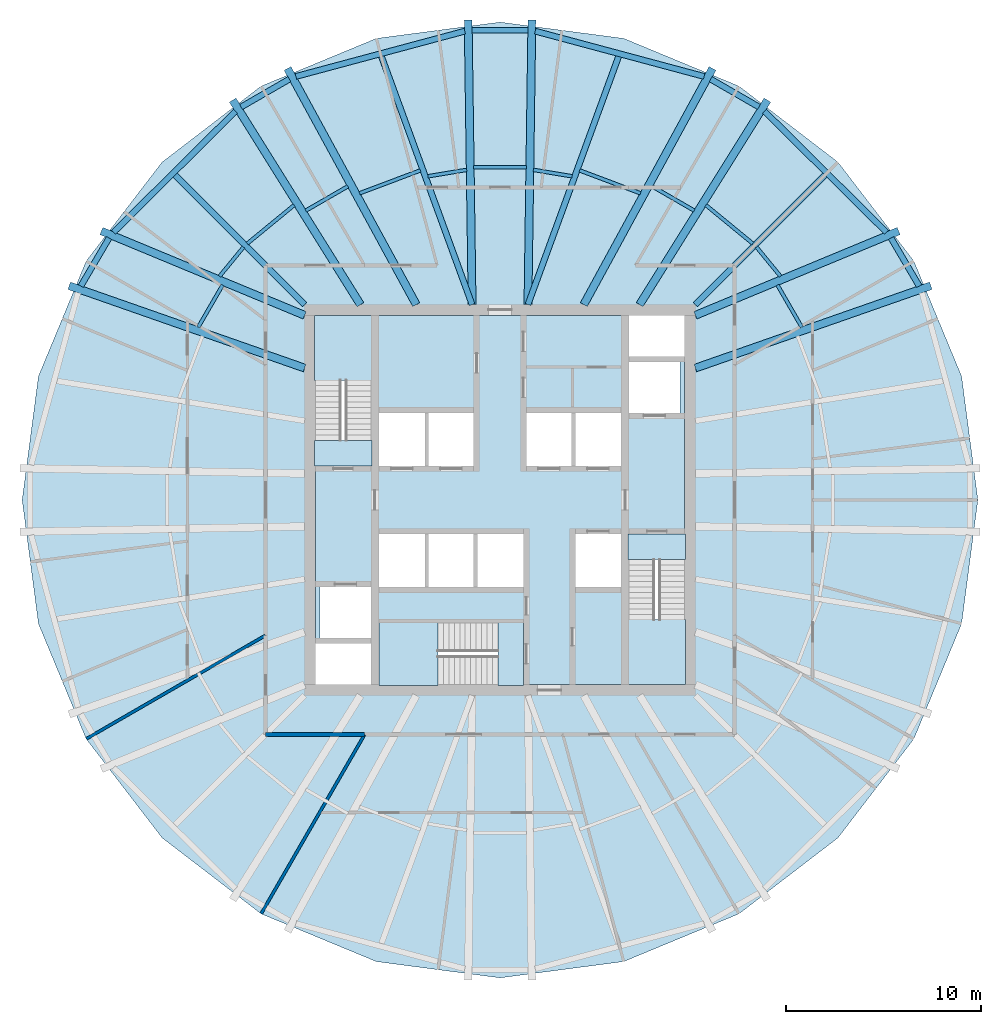
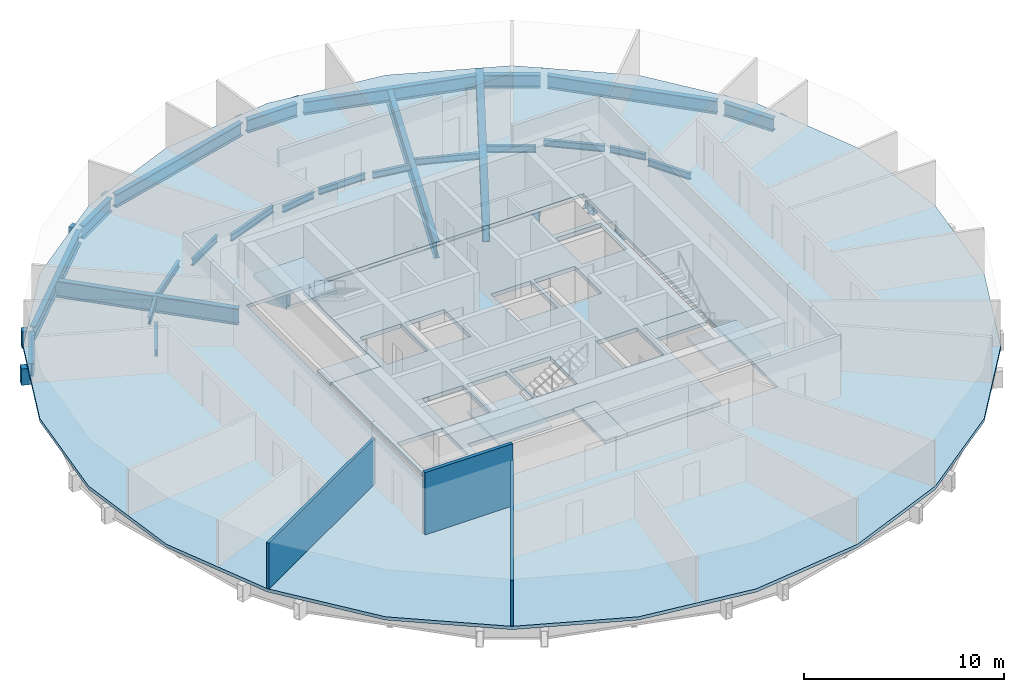
# One storey, part 2 of 6: 36 beams, 8 slabs, 3 walls, 3 elements without a shape of their own.
"""IFC4 building model written with IfcOpenShell, lengths in metres."""

from ifc_helpers import new_model, si_unit, direction, frame, frame_2d, origin, origin_2d, place, context, subcontext, project, spatial, polyline, rectangle, hollow_rectangle, i_section, outline, extrude, material, layer, layer_set, material_profile, profile_set, type_object, element, aggregate, save


model = new_model("IFC4")

# Units and contexts
model_context = context("Model", 3, precision=1e-05, world=origin(), true_north=direction((0.0, 1.0)))
body_context = subcontext(model_context, "Body", "Model", "MODEL_VIEW")
ifc_project = project(units=[si_unit("LENGTHUNIT", "METRE"), si_unit("AREAUNIT", "SQUARE_METRE"), si_unit("VOLUMEUNIT", "CUBIC_METRE"), si_unit("PLANEANGLEUNIT", "RADIAN"), si_unit("MASSUNIT", "GRAM", prefix="KILO")], contexts=[model_context])

# Site, building, storey
site_placement = place(None, origin())
site = spatial("IfcSite", under=ifc_project, at=site_placement, CompositionType="ELEMENT")
building_placement = place(site_placement, origin())
building = spatial("IfcBuilding", under=site, at=building_placement, Name="Golbaran Civic Tower", CompositionType="ELEMENT")
storey_placement = place(building_placement, frame((0.0, 0.0, 122.0)))
storey = spatial("IfcBuildingStorey", under=building, at=storey_placement, Name="L29", CompositionType="ELEMENT", Elevation=122.0)

# Beams
ifc_material_1 = material(Name="Steel S355", Category="steel")
ifc_material_profile_1 = material_profile(ifc_material_1, i_section(OverallWidth=0.300048828125, OverallDepth=0.800048828125, WebThickness=0.017578125, FlangeThickness=0.032958984375, FilletRadius=0.030029296875, at=origin_2d()), Name="HEB 800")
ifc_profile_set_1 = profile_set([ifc_material_profile_1], Name="Steel S355")
beam_type_1 = type_object("IfcBeamType", Name="EDGE BEAM HEB 800", PredefinedType="BEAM", material=ifc_profile_set_1)
beam_1_placement = place(storey_placement, frame((21.450927734375, 10.946533203125, -0.60009765625), z_axis=(-0.506455190342, 0.862266281479, 0.0), x_axis=(-0.862266281479, -0.506455190342, 0.0)))
element("IfcBeam", 1, at=beam_1_placement, inside=storey, type_object=beam_type_1, Name="Edge beam 26.27 L29", PredefinedType="BEAM", context=body_context, shape_type="SweptSolid", body=[
    extrude(i_section(OverallWidth=0.300048828125, OverallDepth=0.800048828125, WebThickness=0.017578125, FlangeThickness=0.032958984375, FilletRadius=0.030029296875, at=origin_2d()), origin(), (0.0, 0.0, 1.0), 2.852294921875),
])
beam_2_placement = place(storey_placement, frame((19.775634765625, 13.7001953125, -0.60009765625), z_axis=(-0.709865609088, 0.704337147277, 0.0), x_axis=(-0.704337147277, -0.709865609088, 0.0)))
element("IfcBeam", 2, at=beam_2_placement, inside=storey, type_object=beam_type_1, Name="Edge beam 33.73 L29", PredefinedType="BEAM", context=body_context, shape_type="SweptSolid", body=[
    extrude(i_section(OverallWidth=0.300048828125, OverallDepth=0.800048828125, WebThickness=0.017578125, FlangeThickness=0.032958984375, FilletRadius=0.030029296875, at=origin_2d()), origin(), (0.0, 0.0, 1.0), 8.7880859375),
])
beam_3_placement = place(storey_placement, frame((13.250244140625, 20.10986328125, -0.60009765625), z_axis=(-0.866144257683, 0.49979408248, 0.0), x_axis=(-0.49979408248, -0.866144257683, 0.0)))
element("IfcBeam", 3, at=beam_3_placement, inside=storey, type_object=beam_type_1, Name="Edge beam 56.27 L29", PredefinedType="BEAM", context=body_context, shape_type="SweptSolid", body=[
    extrude(i_section(OverallWidth=0.300048828125, OverallDepth=0.800048828125, WebThickness=0.017578125, FlangeThickness=0.032958984375, FilletRadius=0.030029296875, at=origin_2d()), origin(), (0.0, 0.0, 1.0), 2.852294921875),
])
beam_4_placement = place(storey_placement, frame((10.445068359375, 21.67333984375, -0.60009765625), z_axis=(-0.965861656645, 0.259058410831, 0.0), x_axis=(-0.259058410831, -0.965861656645, 0.0)))
element("IfcBeam", 4, at=beam_4_placement, inside=storey, type_object=beam_type_1, Name="Edge beam 63.73 L29", PredefinedType="BEAM", context=body_context, shape_type="SweptSolid", body=[
    extrude(i_section(OverallWidth=0.300048828125, OverallDepth=0.800048828125, WebThickness=0.017578125, FlangeThickness=0.032958984375, FilletRadius=0.030029296875, at=origin_2d()), origin(), (0.0, 0.0, 1.0), 8.947265625),
])
beam_5_placement = place(storey_placement, frame((1.44384765625, 24.039306640625, -0.60009765625), z_axis=(-1.0, 0.0, 0.0), x_axis=(0.0, -1.0, 0.0)))
element("IfcBeam", 5, at=beam_5_placement, inside=storey, type_object=beam_type_1, Name="Edge beam 86.27 L29", PredefinedType="BEAM", context=body_context, shape_type="SweptSolid", body=[
    extrude(i_section(OverallWidth=0.300048828125, OverallDepth=0.800048828125, WebThickness=0.017578125, FlangeThickness=0.032958984375, FilletRadius=0.030029296875, at=origin_2d()), origin(), (0.0, 0.0, 1.0), 2.8876953125),
])
beam_6_placement = place(storey_placement, frame((-1.80322265625, 23.9912109375, -0.60009765625), z_axis=(-0.965861656645, -0.259058410831, 0.0), x_axis=(0.259058410831, -0.965861656645, 0.0)))
element("IfcBeam", 6, at=beam_6_placement, inside=storey, type_object=beam_type_1, Name="Edge beam 93.73 L29", PredefinedType="BEAM", context=body_context, shape_type="SweptSolid", body=[
    extrude(i_section(OverallWidth=0.300048828125, OverallDepth=0.800048828125, WebThickness=0.017578125, FlangeThickness=0.032958984375, FilletRadius=0.030029296875, at=origin_2d()), origin(), (0.0, 0.0, 1.0), 8.947265625),
])
beam_7_placement = place(storey_placement, frame((-10.77978515625, 21.535400390625, -0.60009765625), z_axis=(-0.866144257683, -0.49979408248, 0.0), x_axis=(0.49979408248, -0.866144257683, 0.0)))
element("IfcBeam", 7, at=beam_7_placement, inside=storey, type_object=beam_type_1, Name="Edge beam 116.27 L29", PredefinedType="BEAM", context=body_context, shape_type="SweptSolid", body=[
    extrude(i_section(OverallWidth=0.300048828125, OverallDepth=0.800048828125, WebThickness=0.017578125, FlangeThickness=0.032958984375, FilletRadius=0.030029296875, at=origin_2d()), origin(), (0.0, 0.0, 1.0), 2.852294921875),
])
beam_8_placement = place(storey_placement, frame((-13.537353515625, 19.889892578125, -0.60009765625), z_axis=(-0.709865609088, -0.704337147277, 0.0), x_axis=(0.704337147277, -0.709865609088, 0.0)))
element("IfcBeam", 8, at=beam_8_placement, inside=storey, type_object=beam_type_1, Name="Edge beam 123.73 L29", PredefinedType="BEAM", context=body_context, shape_type="SweptSolid", body=[
    extrude(i_section(OverallWidth=0.300048828125, OverallDepth=0.800048828125, WebThickness=0.017578125, FlangeThickness=0.032958984375, FilletRadius=0.030029296875, at=origin_2d()), origin(), (0.0, 0.0, 1.0), 8.7880859375),
])
beam_9_placement = place(storey_placement, frame((-20.00634765625, 13.406005859375, -0.60009765625), z_axis=(-0.506455190342, -0.862266281479, 0.0), x_axis=(0.862266281479, -0.506455190342, 0.0)))
element("IfcBeam", 9, at=beam_9_placement, inside=storey, type_object=beam_type_1, Name="Edge beam 146.27 L29", PredefinedType="BEAM", context=body_context, shape_type="SweptSolid", body=[
    extrude(i_section(OverallWidth=0.300048828125, OverallDepth=0.800048828125, WebThickness=0.017578125, FlangeThickness=0.032958984375, FilletRadius=0.030029296875, at=origin_2d()), origin(), (0.0, 0.0, 1.0), 2.852294921875),
])
ifc_material_profile_2 = material_profile(ifc_material_1, i_section(OverallWidth=0.179931640625, OverallDepth=0.39990234375, WebThickness=0.008544921875, FlangeThickness=0.013427734375, FilletRadius=0.02099609375, at=origin_2d()), Name="IPE 400")
ifc_profile_set_2 = profile_set([ifc_material_profile_2], Name="Steel S355")
beam_type_2 = type_object("IfcBeamType", Name="FLOOR INFILL BEAM IPE 400", PredefinedType="BEAM", material=ifc_profile_set_2)
beam_10_placement = place(storey_placement, frame((15.440673828125, 8.843994140625, -0.39990234375), z_axis=(-0.499963362494, 0.866046555425, 0.0), x_axis=(-0.866046555425, -0.499963362494, 0.0)))
element("IfcBeam", 10, at=beam_10_placement, inside=storey, type_object=beam_type_2, Name="Infill beam 30.00 L29", PredefinedType="BEAM", context=body_context, shape_type="SweptSolid", body=[
    extrude(i_section(OverallWidth=0.179931640625, OverallDepth=0.39990234375, WebThickness=0.008544921875, FlangeThickness=0.013427734375, FilletRadius=0.02099609375, at=origin_2d()), origin(), (0.0, 0.0, 1.0), 2.485595703125),
])
beam_11_placement = place(storey_placement, frame((14.35009765625, 11.449462890625, -0.39990234375), z_axis=(-0.634256529403, 0.773122664853, 0.0), x_axis=(-0.773122664853, -0.634256529403, 0.0)))
element("IfcBeam", 11, at=beam_11_placement, inside=storey, type_object=beam_type_2, Name="Infill beam 39.36 L29", PredefinedType="BEAM", context=body_context, shape_type="SweptSolid", body=[
    extrude(i_section(OverallWidth=0.179931640625, OverallDepth=0.39990234375, WebThickness=0.008544921875, FlangeThickness=0.013427734375, FilletRadius=0.02099609375, at=origin_2d()), origin(), (0.0, 0.0, 1.0), 1.930419921875),
])
beam_12_placement = place(storey_placement, frame((12.935546875, 13.119384765625, -0.39990234375), z_axis=(-0.773175225242, 0.634192455862, 0.0), x_axis=(-0.634192455862, -0.773175225242, 0.0)))
element("IfcBeam", 12, at=beam_12_placement, inside=storey, type_object=beam_type_2, Name="Infill beam 50.64 L29", PredefinedType="BEAM", context=body_context, shape_type="SweptSolid", body=[
    extrude(i_section(OverallWidth=0.179931640625, OverallDepth=0.39990234375, WebThickness=0.008544921875, FlangeThickness=0.013427734375, FilletRadius=0.02099609375, at=origin_2d()), origin(), (0.0, 0.0, 1.0), 3.10400390625),
])
beam_13_placement = place(storey_placement, frame((9.93701171875, 14.809326171875, -0.39990234375), z_axis=(-0.866029879506, 0.499992247743, 0.0), x_axis=(-0.499992247743, -0.866029879506, 0.0)))
element("IfcBeam", 13, at=beam_13_placement, inside=storey, type_object=beam_type_2, Name="Infill beam 60.00 L29", PredefinedType="BEAM", context=body_context, shape_type="SweptSolid", body=[
    extrude(i_section(OverallWidth=0.179931640625, OverallDepth=0.39990234375, WebThickness=0.008544921875, FlangeThickness=0.013427734375, FilletRadius=0.02099609375, at=origin_2d()), origin(), (0.0, 0.0, 1.0), 2.48046875),
])
beam_14_placement = place(storey_placement, frame((7.185302734375, 15.6943359375, -0.39990234375), z_axis=(-0.935854257821, 0.352387298462, 0.0), x_axis=(-0.352387298462, -0.935854257821, 0.0)))
element("IfcBeam", 14, at=beam_14_placement, inside=storey, type_object=beam_type_2, Name="Infill beam 69.36 L29", PredefinedType="BEAM", context=body_context, shape_type="SweptSolid", body=[
    extrude(i_section(OverallWidth=0.179931640625, OverallDepth=0.39990234375, WebThickness=0.008544921875, FlangeThickness=0.013427734375, FilletRadius=0.02099609375, at=origin_2d()), origin(), (0.0, 0.0, 1.0), 3.32275390625),
])
beam_15_placement = place(storey_placement, frame((3.689208984375, 16.5654296875, -0.39990234375), z_axis=(-0.98668433235, 0.162646943701, 0.0), x_axis=(-0.162646943701, -0.98668433235, 0.0)))
element("IfcBeam", 15, at=beam_15_placement, inside=storey, type_object=beam_type_2, Name="Infill beam 80.64 L29", PredefinedType="BEAM", context=body_context, shape_type="SweptSolid", body=[
    extrude(i_section(OverallWidth=0.179931640625, OverallDepth=0.39990234375, WebThickness=0.008544921875, FlangeThickness=0.013427734375, FilletRadius=0.02099609375, at=origin_2d()), origin(), (0.0, 0.0, 1.0), 2.011474609375),
])
beam_16_placement = place(storey_placement, frame((1.34619140625, 17.019775390625, -0.39990234375), z_axis=(-1.0, 0.0, 0.0), x_axis=(0.0, -1.0, 0.0)))
element("IfcBeam", 16, at=beam_16_placement, inside=storey, type_object=beam_type_2, Name="Infill beam 90.00 L29", PredefinedType="BEAM", context=body_context, shape_type="SweptSolid", body=[
    extrude(i_section(OverallWidth=0.179931640625, OverallDepth=0.39990234375, WebThickness=0.008544921875, FlangeThickness=0.013427734375, FilletRadius=0.02099609375, at=origin_2d()), origin(), (0.0, 0.0, 1.0), 2.6923828125),
])
beam_17_placement = place(storey_placement, frame((-1.70458984375, 16.892578125, -0.39990234375), z_axis=(-0.98668433235, -0.162646943701, 0.0), x_axis=(0.162646943701, -0.98668433235, 0.0)))
element("IfcBeam", 17, at=beam_17_placement, inside=storey, type_object=beam_type_2, Name="Infill beam 99.36 L29", PredefinedType="BEAM", context=body_context, shape_type="SweptSolid", body=[
    extrude(i_section(OverallWidth=0.179931640625, OverallDepth=0.39990234375, WebThickness=0.008544921875, FlangeThickness=0.013427734375, FilletRadius=0.02099609375, at=origin_2d()), origin(), (0.0, 0.0, 1.0), 2.011474609375),
])
beam_18_placement = place(storey_placement, frame((-4.07568359375, 16.865234375, -0.39990234375), z_axis=(-0.935854257821, -0.352387298462, 0.0), x_axis=(0.352387298462, -0.935854257821, 0.0)))
element("IfcBeam", 18, at=beam_18_placement, inside=storey, type_object=beam_type_2, Name="Infill beam 110.64 L29", PredefinedType="BEAM", context=body_context, shape_type="SweptSolid", body=[
    extrude(i_section(OverallWidth=0.179931640625, OverallDepth=0.39990234375, WebThickness=0.008544921875, FlangeThickness=0.013427734375, FilletRadius=0.02099609375, at=origin_2d()), origin(), (0.0, 0.0, 1.0), 3.32275390625),
])
beam_19_placement = place(storey_placement, frame((-7.788818359375, 16.049560546875, -0.39990234375), z_axis=(-0.866029879506, -0.499992247743, 0.0), x_axis=(0.499992247743, -0.866029879506, 0.0)))
element("IfcBeam", 19, at=beam_19_placement, inside=storey, type_object=beam_type_2, Name="Infill beam 120.00 L29", PredefinedType="BEAM", context=body_context, shape_type="SweptSolid", body=[
    extrude(i_section(OverallWidth=0.179931640625, OverallDepth=0.39990234375, WebThickness=0.008544921875, FlangeThickness=0.013427734375, FilletRadius=0.02099609375, at=origin_2d()), origin(), (0.0, 0.0, 1.0), 2.48046875),
])
beam_20_placement = place(storey_placement, frame((-10.53564453125, 15.087890625, -0.39990234375), z_axis=(-0.773175225242, -0.634192455862, 0.0), x_axis=(0.634192455862, -0.773175225242, 0.0)))
element("IfcBeam", 20, at=beam_20_placement, inside=storey, type_object=beam_type_2, Name="Infill beam 129.36 L29", PredefinedType="BEAM", context=body_context, shape_type="SweptSolid", body=[
    extrude(i_section(OverallWidth=0.179931640625, OverallDepth=0.39990234375, WebThickness=0.008544921875, FlangeThickness=0.013427734375, FilletRadius=0.02099609375, at=origin_2d()), origin(), (0.0, 0.0, 1.0), 3.10400390625),
])
beam_21_placement = place(storey_placement, frame((-13.125732421875, 12.94189453125, -0.39990234375), z_axis=(-0.634256529403, -0.773122664853, 0.0), x_axis=(0.773122664853, -0.634256529403, 0.0)))
element("IfcBeam", 21, at=beam_21_placement, inside=storey, type_object=beam_type_2, Name="Infill beam 140.64 L29", PredefinedType="BEAM", context=body_context, shape_type="SweptSolid", body=[
    extrude(i_section(OverallWidth=0.179931640625, OverallDepth=0.39990234375, WebThickness=0.008544921875, FlangeThickness=0.013427734375, FilletRadius=0.02099609375, at=origin_2d()), origin(), (0.0, 0.0, 1.0), 1.930419921875),
])
beam_22_placement = place(storey_placement, frame((-14.197998046875, 10.99658203125, -0.39990234375), z_axis=(-0.499963362494, -0.866046555425, 0.0), x_axis=(0.866046555425, -0.499963362494, 0.0)))
element("IfcBeam", 22, at=beam_22_placement, inside=storey, type_object=beam_type_2, Name="Infill beam 150.00 L29", PredefinedType="BEAM", context=body_context, shape_type="SweptSolid", body=[
    extrude(i_section(OverallWidth=0.179931640625, OverallDepth=0.39990234375, WebThickness=0.008544921875, FlangeThickness=0.013427734375, FilletRadius=0.02099609375, at=origin_2d()), origin(), (0.0, 0.0, 1.0), 2.485595703125),
])
ifc_material_profile_3 = material_profile(ifc_material_1, hollow_rectangle(XDim=0.39990234375, YDim=1.0, WallThickness=0.0400390625, at=origin_2d()), Name="BOX 1000x400x40")
ifc_profile_set_3 = profile_set([ifc_material_profile_3], Name="Steel S355")
beam_type_3 = type_object("IfcBeamType", Name="RADIAL FLOOR BEAM BOX 1000x400x40", PredefinedType="BEAM", material=ifc_profile_set_3)
beam_23_placement = place(storey_placement, frame((10.0, 6.75, -0.7099609375), z_axis=(0.943913820373, 0.330191913451, 0.0), x_axis=(-0.330191913451, 0.943913820373, 0.0)))
element("IfcBeam", 23, at=beam_23_placement, inside=storey, type_object=beam_type_3, Name="Radial beam 26.27 L29", PredefinedType="BEAM", context=body_context, shape_type="SweptSolid", body=[
    extrude(hollow_rectangle(XDim=0.39990234375, YDim=1.0, WallThickness=0.0400390625, at=origin_2d()), origin(), (0.0, 0.0, 1.0), 12.76123046875),
])
beam_24_placement = place(storey_placement, frame((10.0, 9.449951171875, -0.7099609375), z_axis=(0.92367509905, 0.383176606011, 0.0), x_axis=(-0.383176606011, 0.92367509905, 0.0)))
element("IfcBeam", 24, at=beam_24_placement, inside=storey, type_object=beam_type_3, Name="Radial beam 33.73 L29", PredefinedType="BEAM", context=body_context, shape_type="SweptSolid", body=[
    extrude(hollow_rectangle(XDim=0.39990234375, YDim=1.0, WallThickness=0.0400390625, at=origin_2d()), origin(), (0.0, 0.0, 1.0), 11.257080078125),
])
beam_25_placement = place(storey_placement, frame((7.142822265625, 10.0, -0.7099609375), z_axis=(0.53006119761, 0.847959389822, 0.0), x_axis=(-0.847959389822, 0.53006119761, 0.0)))
element("IfcBeam", 25, at=beam_25_placement, inside=storey, type_object=beam_type_3, Name="Radial beam 56.27 L29", PredefinedType="BEAM", context=body_context, shape_type="SweptSolid", body=[
    extrude(hollow_rectangle(XDim=0.39990234375, YDim=1.0, WallThickness=0.0400390625, at=origin_2d()), origin(), (0.0, 0.0, 1.0), 12.3369140625),
])
beam_26_placement = place(storey_placement, frame((4.28564453125, 10.0, -0.7099609375), z_axis=(0.478681826436, 0.877988444708, 0.0), x_axis=(-0.877988444708, 0.478681826436, 0.0)))
element("IfcBeam", 26, at=beam_26_placement, inside=storey, type_object=beam_type_3, Name="Radial beam 63.73 L29", PredefinedType="BEAM", context=body_context, shape_type="SweptSolid", body=[
    extrude(hollow_rectangle(XDim=0.39990234375, YDim=1.0, WallThickness=0.0400390625, at=origin_2d()), origin(), (0.0, 0.0, 1.0), 13.760986328125),
])
for number, where, z_axis, x_axis, name in (
    (27, (1.428466796875, 10.0, -0.7099609375), (0.013916653336, 0.999903158691, 0.0), (-0.999903158691, 0.013916653336, 0.0), "Radial beam 86.27 L29"),
    (28, (-1.428466796875, 10.0, -0.7099609375), (-0.013916653336, 0.999903158691, 0.0), (-0.999903158691, -0.013916653336, 0.0), "Radial beam 93.73 L29"),
):
    element("IfcBeam", number, at=place(storey_placement, frame(where, z_axis=z_axis, x_axis=x_axis)), inside=storey, type_object=beam_type_3, Name=name, PredefinedType="BEAM", context=body_context, shape_type="SweptSolid", body=[
        extrude(hollow_rectangle(XDim=0.39990234375, YDim=1.0, WallThickness=0.0400390625, at=origin_2d()), origin(), (0.0, 0.0, 1.0), 14.560791015625),
    ])
beam_27_placement = place(storey_placement, frame((-4.28564453125, 10.0, -0.7099609375), z_axis=(-0.478681826436, 0.877988444708, 0.0), x_axis=(-0.877988444708, -0.478681826436, 0.0)))
element("IfcBeam", 29, at=beam_27_placement, inside=storey, type_object=beam_type_3, Name="Radial beam 116.27 L29", PredefinedType="BEAM", context=body_context, shape_type="SweptSolid", body=[
    extrude(hollow_rectangle(XDim=0.39990234375, YDim=1.0, WallThickness=0.0400390625, at=origin_2d()), origin(), (0.0, 0.0, 1.0), 13.760986328125),
])
beam_28_placement = place(storey_placement, frame((-7.142822265625, 10.0, -0.7099609375), z_axis=(-0.53006119761, 0.847959389822, 0.0), x_axis=(-0.847959389822, -0.53006119761, 0.0)))
element("IfcBeam", 30, at=beam_28_placement, inside=storey, type_object=beam_type_3, Name="Radial beam 123.73 L29", PredefinedType="BEAM", context=body_context, shape_type="SweptSolid", body=[
    extrude(hollow_rectangle(XDim=0.39990234375, YDim=1.0, WallThickness=0.0400390625, at=origin_2d()), origin(), (0.0, 0.0, 1.0), 12.3369140625),
])
beam_29_placement = place(storey_placement, frame((-10.0, 9.449951171875, -0.7099609375), z_axis=(-0.92367509905, 0.383176606011, 0.0), x_axis=(-0.383176606011, -0.92367509905, 0.0)))
element("IfcBeam", 31, at=beam_29_placement, inside=storey, type_object=beam_type_3, Name="Radial beam 146.27 L29", PredefinedType="BEAM", context=body_context, shape_type="SweptSolid", body=[
    extrude(hollow_rectangle(XDim=0.39990234375, YDim=1.0, WallThickness=0.0400390625, at=origin_2d()), origin(), (0.0, 0.0, 1.0), 11.257080078125),
])
beam_30_placement = place(storey_placement, frame((-10.0, 6.75, -0.7099609375), z_axis=(-0.943913820373, 0.330191913451, 0.0), x_axis=(-0.330191913451, -0.943913820373, 0.0)))
element("IfcBeam", 32, at=beam_30_placement, inside=storey, type_object=beam_type_3, Name="Radial beam 153.73 L29", PredefinedType="BEAM", context=body_context, shape_type="SweptSolid", body=[
    extrude(hollow_rectangle(XDim=0.39990234375, YDim=1.0, WallThickness=0.0400390625, at=origin_2d()), origin(), (0.0, 0.0, 1.0), 12.76123046875),
])
ifc_material_profile_4 = material_profile(ifc_material_1, i_section(OverallWidth=0.300048828125, OverallDepth=1.0, WebThickness=0.01904296875, FlangeThickness=0.035888671875, FilletRadius=0.030029296875, at=origin_2d()), Name="HEB 1000")
ifc_profile_set_4 = profile_set([ifc_material_profile_4], Name="Steel S355")
beam_type_4 = type_object("IfcBeamType", Name="SECONDARY FLOOR BEAM HEB 1000", PredefinedType="BEAM", material=ifc_profile_set_4)
beam_31_placement = place(storey_placement, frame((10.0, 10.0, -0.7099609375), z_axis=(0.707106781187, 0.707106781187, 0.0), x_axis=(-0.707106781187, 0.707106781187, 0.0)))
element("IfcBeam", 33, at=beam_31_placement, inside=storey, type_object=beam_type_4, Name="Secondary beam 45.00 L29", PredefinedType="BEAM", context=body_context, shape_type="SweptSolid", body=[
    extrude(i_section(OverallWidth=0.300048828125, OverallDepth=1.0, WebThickness=0.01904296875, FlangeThickness=0.035888671875, FilletRadius=0.030029296875, at=origin_2d()), origin(), (0.0, 0.0, 1.0), 9.51220703125),
])
for number, where, z_axis, x_axis, name in (
    (34, (1.428466796875, 10.0, -0.7099609375), (0.343231753632, 0.939250745701, 0.0), (-0.939250745701, 0.343231753632, 0.0), "Secondary beam 75.00 L29"),
    (35, (-1.428466796875, 10.0, -0.7099609375), (-0.343231753632, 0.939250745701, 0.0), (-0.939250745701, -0.343231753632, 0.0), "Secondary beam 105.00 L29"),
):
    element("IfcBeam", number, at=place(storey_placement, frame(where, z_axis=z_axis, x_axis=x_axis)), inside=storey, type_object=beam_type_4, Name=name, PredefinedType="BEAM", context=body_context, shape_type="SweptSolid", body=[
        extrude(i_section(OverallWidth=0.300048828125, OverallDepth=1.0, WebThickness=0.01904296875, FlangeThickness=0.035888671875, FilletRadius=0.030029296875, at=origin_2d()), origin(), (0.0, 0.0, 1.0), 13.6640625),
    ])
beam_32_placement = place(storey_placement, frame((-10.0, 10.0, -0.7099609375), z_axis=(-0.707106781187, 0.707106781187, 0.0), x_axis=(-0.707106781187, -0.707106781187, 0.0)))
element("IfcBeam", 36, at=beam_32_placement, inside=storey, type_object=beam_type_4, Name="Secondary beam 135.00 L29", PredefinedType="BEAM", context=body_context, shape_type="SweptSolid", body=[
    extrude(i_section(OverallWidth=0.300048828125, OverallDepth=1.0, WebThickness=0.01904296875, FlangeThickness=0.035888671875, FilletRadius=0.030029296875, at=origin_2d()), origin(), (0.0, 0.0, 1.0), 9.51220703125),
])

# Slabs
ifc_material_2 = material(Name="Concrete LC30/33 lightweight on steel deck", Category="concrete")
ifc_layer_1 = layer(ifc_material_2, 0.199951171875, Name="Concrete LC30/33 lightweight on steel deck")
ifc_layer_set_1 = layer_set([ifc_layer_1], Name="Concrete LC30/33 lightweight on steel deck")
slab_type_1 = type_object("IfcSlabType", Name="COMPOSITE FLOOR SLAB 200", PredefinedType="FLOOR", material=ifc_layer_set_1)
slab_1_placement = place(storey_placement, frame((0.0, 0.0, -0.199951171875)))
element("IfcSlab", 37, at=slab_1_placement, inside=storey, type_object=slab_type_1, Name="Floor slab L29", PredefinedType="FLOOR", context=body_context, shape_type="SweptSolid", body=[
    extrude(outline(polyline([(21.17724609375, -12.2265625), (17.291015625, -17.291015625), (12.2265625, -21.17724609375), (6.3291015625, -23.6201171875), (0.0, -24.453369140625), (-6.3291015625, -23.6201171875), (-12.2265625, -21.17724609375), (-17.291015625, -17.291015625), (-21.17724609375, -12.2265625), (-23.6201171875, -6.3291015625), (-24.453369140625, 0.0), (-23.6201171875, 6.3291015625), (-21.17724609375, 12.2265625), (-17.291015625, 17.291015625), (-12.2265625, 21.17724609375), (-6.3291015625, 23.6201171875), (0.0, 24.453369140625), (6.3291015625, 23.6201171875), (12.2265625, 21.17724609375), (17.291015625, 17.291015625), (21.17724609375, 12.2265625), (23.6201171875, 6.3291015625), (24.453369140625, 0.0), (23.6201171875, -6.3291015625), (21.17724609375, -12.2265625)]), holes=[polyline([(-9.72509765625, 9.72509765625), (-9.72509765625, -9.72509765625), (9.72509765625, -9.72509765625), (9.72509765625, 9.72509765625), (-9.72509765625, 9.72509765625)])]), origin(), (0.0, 0.0, 1.0), 0.199951171875),
])
ifc_material_3 = material(Name="Concrete C35/45", Category="concrete")
ifc_layer_2 = layer(ifc_material_3, 0.25, Name="Concrete C35/45")
ifc_layer_set_2 = layer_set([ifc_layer_2], Name="Concrete C35/45")
slab_type_2 = type_object("IfcSlabType", Name="CORE FLOOR SLAB 250", PredefinedType="FLOOR", material=ifc_layer_set_2)
slab_2_placement = place(storey_placement, frame((0.0, 0.0, -0.25)))
element("IfcSlab", 38, at=slab_2_placement, inside=storey, type_object=slab_type_2, Name="Core floor slab L29", PredefinedType="FLOOR", context=body_context, shape_type="SweptSolid", body=[
    extrude(outline(polyline([(6.60009765625, -1.75), (6.60009765625, -9.449951171875), (1.199951171875, -9.449951171875), (1.199951171875, -6.300048828125), (-6.199951171875, -6.300048828125), (-6.199951171875, -9.449951171875), (-6.60009765625, -9.449951171875), (-6.60009765625, -7.35009765625), (-9.449951171875, -7.35009765625), (-9.449951171875, 1.75), (-6.60009765625, 1.75), (-6.60009765625, 9.449951171875), (6.60009765625, 9.449951171875), (6.60009765625, 7.35009765625), (9.449951171875, 7.35009765625), (9.449951171875, -1.75), (6.60009765625, -1.75)]), holes=[polyline([(9.199951171875, 7.050048828125), (6.60009765625, 7.050048828125), (6.60009765625, 4.449951171875), (9.199951171875, 4.449951171875), (9.199951171875, 7.050048828125)]), polyline([(6.199951171875, -1.75), (3.85009765625, -1.75), (3.85009765625, -4.449951171875), (6.199951171875, -4.449951171875), (6.199951171875, -1.75)]), polyline([(6.199951171875, 4.449951171875), (3.85009765625, 4.449951171875), (3.85009765625, 1.75), (6.199951171875, 1.75), (6.199951171875, 4.449951171875)]), polyline([(3.64990234375, 4.449951171875), (1.35009765625, 4.449951171875), (1.35009765625, 1.75), (3.64990234375, 1.75), (3.64990234375, 4.449951171875)]), polyline([(1.199951171875, -1.75), (-1.14990234375, -1.75), (-1.14990234375, -4.449951171875), (1.199951171875, -4.449951171875), (1.199951171875, -1.75)]), polyline([(-1.35009765625, 4.449951171875), (-3.64990234375, 4.449951171875), (-3.64990234375, 1.75), (-1.35009765625, 1.75), (-1.35009765625, 4.449951171875)]), polyline([(-1.35009765625, -1.75), (-3.64990234375, -1.75), (-3.64990234375, -4.449951171875), (-1.35009765625, -4.449951171875), (-1.35009765625, -1.75)]), polyline([(-3.85009765625, -1.75), (-6.199951171875, -1.75), (-6.199951171875, -4.449951171875), (-3.85009765625, -4.449951171875), (-3.85009765625, -1.75)]), polyline([(-3.85009765625, 4.449951171875), (-6.199951171875, 4.449951171875), (-6.199951171875, 1.75), (-3.85009765625, 1.75), (-3.85009765625, 4.449951171875)]), polyline([(-6.60009765625, -4.449951171875), (-9.199951171875, -4.449951171875), (-9.199951171875, -7.050048828125), (-6.60009765625, -7.050048828125), (-6.60009765625, -4.449951171875)])]), origin(), (0.0, 0.0, 1.0), 0.25),
])

# Stair, slab
stair_type_1 = type_object("IfcStairType", Name="EXIT STAIR 2850 x 7700, 4000 RISE", PredefinedType="HALF_TURN_STAIR", material=ifc_material_3)
stair_1_placement = place(storey_placement, origin())
stair_1 = element("IfcStair", 39, at=stair_1_placement, inside=storey, type_object=stair_type_1, Name="Stair S1 L29", PredefinedType="HALF_TURN_STAIR")
ifc_layer_3 = layer(ifc_material_3, 0.199951171875, Name="Concrete C35/45")
ifc_layer_set_3 = layer_set([ifc_layer_3], Name="Concrete C35/45")
slab_type_3 = type_object("IfcSlabType", Name="STAIR LANDING 200", PredefinedType="LANDING", material=ifc_layer_set_3)
slab_3_placement = place(storey_placement, frame((0.0, 0.0, 1.800048828125)))
slab_3 = element("IfcSlab", 40, at=slab_3_placement, type_object=slab_type_3, Name="ST28577-40 landing 1", PredefinedType="LANDING", context=body_context, shape_type="SweptSolid", body=[
    extrude(outline(polyline([(-9.5, 6.125), (-9.5, 9.449951171875), (-6.550048828125, 9.449951171875), (-6.550048828125, 6.125), (-9.5, 6.125)])), origin(), (0.0, 0.0, 1.0), 0.199951171875),
])
aggregate(stair_1, [slab_3])

# Slab
slab_4_placement = place(storey_placement, frame((0.0, 0.0, -0.199951171875)))
element("IfcSlab", 41, at=slab_4_placement, inside=storey, type_object=slab_type_3, Name="Stair S1 floor landing L29", PredefinedType="LANDING", context=body_context, shape_type="SweptSolid", body=[
    extrude(outline(polyline([(-9.5, 1.75), (-9.5, 3.054931640625), (-6.550048828125, 3.054931640625), (-6.550048828125, 1.75), (-9.5, 1.75)])), origin(), (0.0, 0.0, 1.0), 0.199951171875),
])

# Stair, slab
stair_2_placement = place(storey_placement, origin())
stair_2 = element("IfcStair", 42, at=stair_2_placement, inside=storey, type_object=stair_type_1, Name="Stair S2 L29", PredefinedType="HALF_TURN_STAIR")
slab_5_placement = place(storey_placement, frame((0.0, 0.0, 1.800048828125)))
slab_5 = element("IfcSlab", 43, at=slab_5_placement, type_object=slab_type_3, Name="ST28577-40 landing 1", PredefinedType="LANDING", context=body_context, shape_type="SweptSolid", body=[
    extrude(outline(polyline([(9.5, -6.125), (9.5, -9.449951171875), (6.550048828125, -9.449951171875), (6.550048828125, -6.125), (9.5, -6.125)])), origin(), (0.0, 0.0, 1.0), 0.199951171875),
])
aggregate(stair_2, [slab_5])

# Slab
slab_6_placement = place(storey_placement, frame((0.0, 0.0, -0.199951171875)))
element("IfcSlab", 44, at=slab_6_placement, inside=storey, type_object=slab_type_3, Name="Stair S2 floor landing L29", PredefinedType="LANDING", context=body_context, shape_type="SweptSolid", body=[
    extrude(outline(polyline([(9.5, -1.75), (9.5, -3.054931640625), (6.550048828125, -3.054931640625), (6.550048828125, -1.75), (9.5, -1.75)])), origin(), (0.0, 0.0, 1.0), 0.199951171875),
])

# Stair, slab
stair_type_2 = type_object("IfcStairType", Name="EXIT STAIR 3150 x 7400, 4000 RISE", PredefinedType="HALF_TURN_STAIR", material=ifc_material_3)
stair_3_placement = place(storey_placement, origin())
stair_3 = element("IfcStair", 45, at=stair_3_placement, inside=storey, type_object=stair_type_2, Name="Stair S3 L29", PredefinedType="HALF_TURN_STAIR")
slab_7_placement = place(storey_placement, frame((0.0, 0.0, 1.800048828125)))
slab_7 = element("IfcSlab", 46, at=slab_7_placement, type_object=slab_type_3, Name="ST31574-40 landing 1", PredefinedType="LANDING", context=body_context, shape_type="SweptSolid", body=[
    extrude(outline(polyline([(-3.175048828125, -9.5), (-6.199951171875, -9.5), (-6.199951171875, -6.25), (-3.175048828125, -6.25), (-3.175048828125, -9.5)])), origin(), (0.0, 0.0, 1.0), 0.199951171875),
])
aggregate(stair_3, [slab_7])

# Slab
slab_8_placement = place(storey_placement, frame((0.0, 0.0, -0.199951171875)))
element("IfcSlab", 47, at=slab_8_placement, inside=storey, type_object=slab_type_3, Name="Stair S3 floor landing L29", PredefinedType="LANDING", context=body_context, shape_type="SweptSolid", body=[
    extrude(outline(polyline([(1.199951171875, -9.5), (-0.10498046875, -9.5), (-0.10498046875, -6.25), (1.199951171875, -6.25), (1.199951171875, -9.5)])), origin(), (0.0, 0.0, 1.0), 0.199951171875),
])

# Walls
ifc_material_4 = material(Name="Gypsum board on steel studs, fire-rated", Category="steel")
ifc_layer_4 = layer(ifc_material_4, 0.199951171875, Name="Gypsum board on steel studs, fire-rated")
ifc_layer_set_4 = layer_set([ifc_layer_4], Name="Gypsum board on steel studs, fire-rated")
wall_type_1 = type_object("IfcWallType", Name="CORRIDOR WALL 200", PredefinedType="PARTITIONING", material=ifc_layer_set_4)
wall_placement = place(storey_placement, frame((-12.0, -12.0, 0.0), z_axis=(0.0, 0.0, 1.0), x_axis=(1.0, 0.0, 0.0)))
element("IfcWall", 48, at=wall_placement, inside=storey, type_object=wall_type_1, Name="Corridor wall L29", PredefinedType="PARTITIONING", context=body_context, shape_type="SweptSolid", body=[
    extrude(rectangle(XDim=5.07177734375, YDim=0.199951171875, at=frame_2d((2.535888671875, 0.0))), origin(), (0.0, 0.0, 1.0), 3.800048828125),
])
ifc_material_5 = material(Name="Gypsum board on steel studs", Category="steel")
ifc_layer_5 = layer(ifc_material_5, 0.14990234375, Name="Gypsum board on steel studs")
ifc_layer_set_5 = layer_set([ifc_layer_5], Name="Gypsum board on steel studs")
wall_type_2 = type_object("IfcWallType", Name="OFFICE PARTITION 150", PredefinedType="PARTITIONING", material=ifc_layer_set_5)
for number, where, z_axis, x_axis, name in (
    (49, (-12.0, -6.92822265625, 0.0), (0.0, 0.0, 1.0), (-0.866023526577, -0.500003251404, 0.0), "Partition 210 L29"),
    (50, (-6.92822265625, -12.0, 0.0), (0.0, 0.0, 1.0), (-0.500003251404, -0.866023526577, 0.0), "Partition 240 L29"),
):
    element("IfcWall", number, at=place(storey_placement, frame(where, z_axis=z_axis, x_axis=x_axis)), inside=storey, type_object=wall_type_2, Name=name, PredefinedType="PARTITIONING", context=body_context, shape_type="SweptSolid", body=[
        extrude(rectangle(XDim=10.5869140625, YDim=0.14990234375, at=frame_2d((5.29345703125, 0.0))), origin(), (0.0, 0.0, 1.0), 2.7900390625),
    ])

save(model, "model.ifc")
